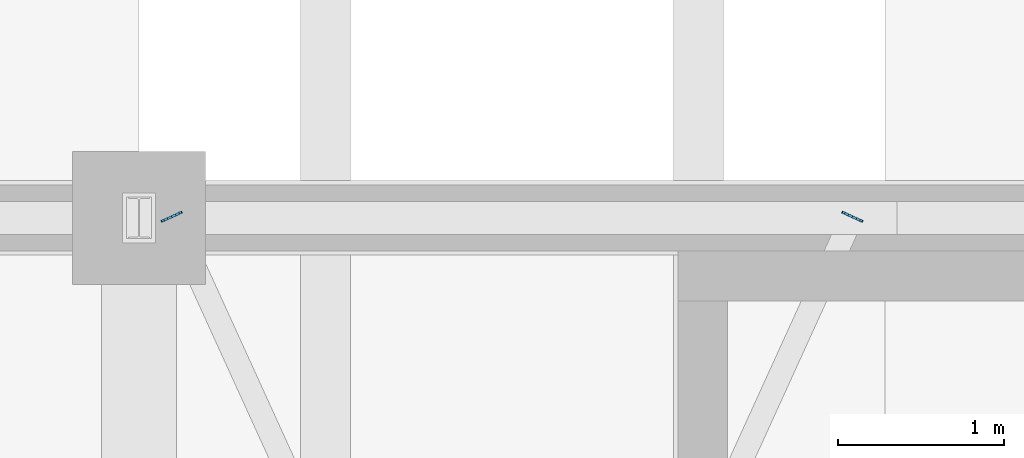
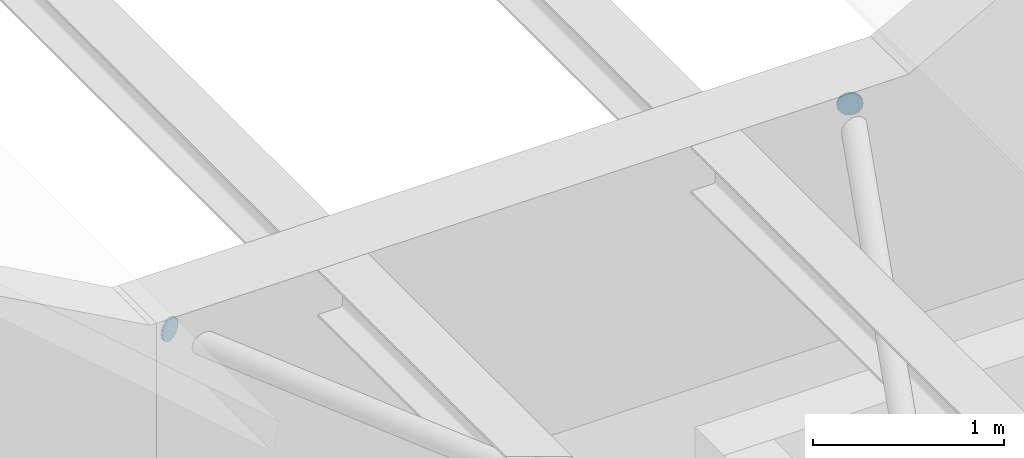
# One storey, part 262 of 437: 2 plates.
"""IFC4 building model written with IfcOpenShell, lengths in metres."""

from ifc_helpers import new_model, si_unit, direction, frame, origin, place, context, subcontext, project, spatial, polyline, outline, extrude, material, layer, layer_set, type_object, element, save


model = new_model("IFC4")

# Units and contexts
model_context = context("Model", 3, precision=1e-05, world=origin(), true_north=direction((0.0, 1.0)))
body_context = subcontext(model_context, "Body", "Model", "MODEL_VIEW")
ifc_project = project(units=[si_unit("LENGTHUNIT", "METRE"), si_unit("AREAUNIT", "SQUARE_METRE"), si_unit("VOLUMEUNIT", "CUBIC_METRE"), si_unit("PLANEANGLEUNIT", "RADIAN"), si_unit("MASSUNIT", "GRAM", prefix="KILO")], contexts=[model_context])

# Site, building, storey
site_placement = place(None, origin())
site = spatial("IfcSite", under=ifc_project, at=site_placement, CompositionType="ELEMENT")
building_placement = place(site_placement, origin())
building = spatial("IfcBuilding", under=site, at=building_placement, Name="Opaline Strait Convention Centre", CompositionType="ELEMENT")
storey_placement = place(building_placement, frame((0.0, 0.0, 11.5)))
storey = spatial("IfcBuildingStorey", under=building, at=storey_placement, Name="L02", CompositionType="ELEMENT", Elevation=11.5)

# Plates
ifc_material = material(Name="Steel Q355B", Category="steel")
ifc_layer = layer(ifc_material, 0.014892578125)
ifc_layer_set = layer_set([ifc_layer], Name="Steel Q355B")
plate_type = type_object("IfcPlateType", Name="Brace end plate 15 Q355B", PredefinedType="SHEET", material=ifc_layer_set)
plate_1_placement = place(storey_placement, frame((76.369873046875, 98.984619140625, 5.8701171875), z_axis=(0.414836562991, 0.909895942406, 0.0), x_axis=(-0.177910529408, 0.08111234384, -0.980698032629)))
element("IfcPlate", 1, at=plate_1_placement, inside=storey, type_object=plate_type, Name="Brace end plate 0-72-1 B", PredefinedType="SHEET", context=body_context, shape_type="SweptSolid", body=[
    extrude(outline(polyline([(0.0, 0.0), (0.027384034490214523, 0.0), (0.05259810373367019, 0.01034279223465002), (0.07188715209514629, 0.02967508543352096), (0.08240902159594816, 0.054979246310342914), (0.08237624613104702, 0.08228448671060286), (0.07195256152583068, 0.1074175665672149), (0.05267641506137637, 0.1268571903509166), (0.027386238814677905, 0.13735920588947814), (0.00024163255508571554, 0.13731146945521194), (-0.025015871876213673, 0.12675082244502134), (-0.04428128786816646, 0.10753706043741668), (-0.054783354550647916, 0.08233222314486904), (-0.05477038190406719, 0.054927659160334784), (-0.04437032966837416, 0.029676048112456443), (-0.025050748016076124, 0.010454279104295326), (0.0, 0.0)])), origin(), (0.0, 0.0, -1.0), 0.014892578125),
])
plate_2_placement = place(storey_placement, frame((72.257568359375, 99.042724609375, 5.8701171875), z_axis=(-0.414836562991, 0.909895942406, 0.0), x_axis=(-0.177910529408, -0.08111234384, -0.980698032629)))
element("IfcPlate", 2, at=plate_2_placement, inside=storey, type_object=plate_type, Name="Brace end plate 0-72-3 B", PredefinedType="SHEET", context=body_context, shape_type="SweptSolid", body=[
    extrude(outline(polyline([(0.0, 0.0), (0.027384034490214523, 0.0), (0.0526415389215139, 0.010560647010190617), (0.0719069549134667, 0.029774409017795267), (0.08240902159594816, 0.054979246310342914), (0.08239604894936743, 0.08238381029487717), (0.07199599671367439, 0.10763542134275551), (0.05267641506137637, 0.1268571903509166), (0.027386238814677905, 0.13735920588947814), (0.00024163255508571554, 0.13731146945521194), (-0.02497243668836996, 0.12696867722056193), (-0.04426148504984605, 0.10763638402169098), (-0.054783354550647916, 0.08233222314486904), (-0.05475057908574677, 0.05502698274460909), (-0.04432689448053045, 0.029893902887997044), (-0.025050748016076124, 0.010454279104295326), (0.0, 0.0)])), origin(), (0.0, 0.0, -1.0), 0.014892578125),
])

save(model, "model.ifc")
